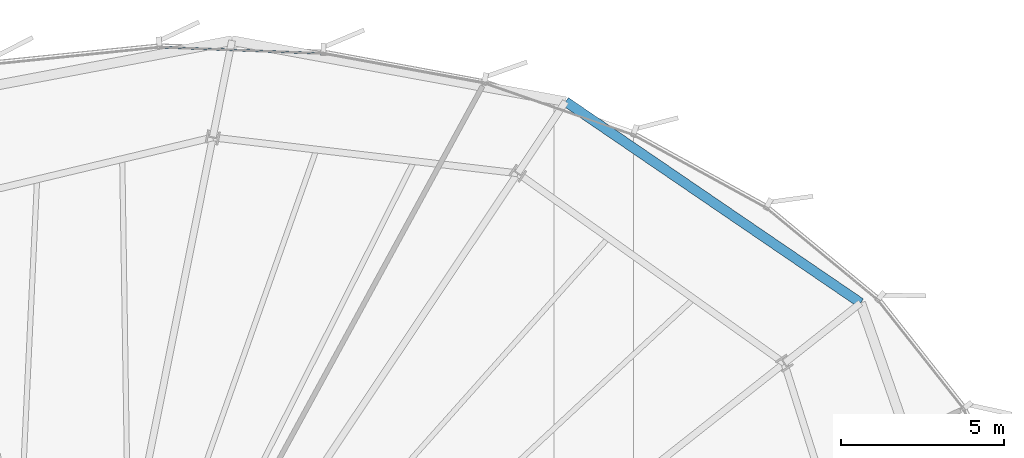
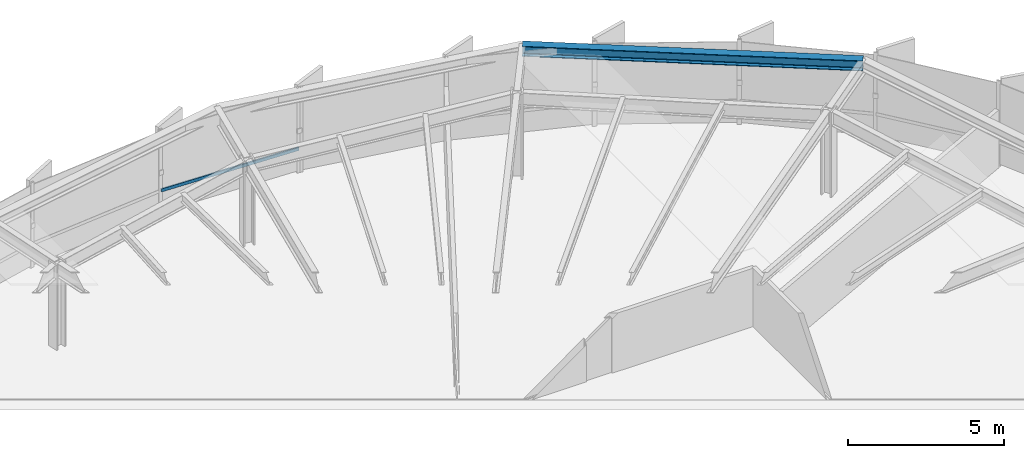
# One storey, part 26 of 35: 1 beam, 1 member, 1 element without a shape of its own.
"""IFC4 building model written with IfcOpenShell, lengths in metres."""

from ifc_helpers import new_model, si_unit, direction, frame, origin, origin_2d, place, context, subcontext, project, spatial, hollow_rectangle, i_section, extrude, source, transform, mapped, material, layer, layer_set, material_profile, profile_set, type_object, element, aggregate, save


model = new_model("IFC4")

# Units and contexts
model_context = context("Model", 3, precision=1e-05, world=origin(), true_north=direction((0.0, 1.0)))
body_context = subcontext(model_context, "Body", "Model", "MODEL_VIEW")
ifc_project = project(units=[si_unit("LENGTHUNIT", "METRE"), si_unit("AREAUNIT", "SQUARE_METRE"), si_unit("VOLUMEUNIT", "CUBIC_METRE"), si_unit("PLANEANGLEUNIT", "RADIAN"), si_unit("MASSUNIT", "GRAM", prefix="KILO"), si_unit("THERMODYNAMICTEMPERATUREUNIT", "KELVIN")], contexts=[model_context])

# Site, building, storey
site_placement = place(None, origin())
site = spatial("IfcSite", under=ifc_project, at=site_placement, CompositionType="ELEMENT")
building_placement = place(site_placement, origin())
building = spatial("IfcBuilding", under=site, at=building_placement, Name="Kethvar Cultural Tower", CompositionType="ELEMENT")
storey_placement = place(building_placement, frame((0.0, 0.0, 107.199951171875)))
storey = spatial("IfcBuildingStorey", under=building, at=storey_placement, Name="L26", CompositionType="ELEMENT", Elevation=107.199951171875)

# Beam
ifc_material_1 = material(Name="Steel S355J2", Category="steel")
ifc_material_profile_1 = material_profile(ifc_material_1, i_section(OverallWidth=0.300048828125, OverallDepth=0.39990234375, WebThickness=0.013427734375, FlangeThickness=0.02392578125, FilletRadius=0.027099609375, at=origin_2d()), Name="Steel S355J2 — HEB400")
ifc_profile_set_1 = profile_set([ifc_material_profile_1], Name="Steel S355J2 — HEB400")
beam_type = type_object("IfcBeamType", Name="BM-SP400", PredefinedType="SPANDREL", material=ifc_profile_set_1)
shared_shape_1 = source(origin(), body_context, "Body", "SweptSolid", [
    extrude(i_section(OverallWidth=0.300048828125, OverallDepth=0.39990234375, WebThickness=0.013427734375, FlangeThickness=0.02392578125, FilletRadius=0.027099609375, at=origin_2d()), origin(), (0.0, 0.0, 1.0), 10.9365234375),
])
beam_placement = place(storey_placement, frame((70.90478515625, 44.19091796875, 3.14794921875), z_axis=(-0.826033183985, 0.563621485535, 0.0), x_axis=(-0.563621485535, -0.826033183985, 0.0)))
element("IfcBeam", 1, at=beam_placement, inside=storey, type_object=beam_type, Name="L26 Perimeter Spandrel Beam SP-02", PredefinedType="SPANDREL", context=body_context, shape_type="MappedRepresentation", body=[
    mapped(shared_shape_1, transform((0.0, 0.0, 0.0), scale=1.0)),
])

# Curtain wall, member
ifc_material_2 = material(Name="Aluminium 6063-T6", Category="aluminium")
ifc_layer = layer(ifc_material_2, 0.179931640625, Name="Aluminium 6063-T6", Category="aluminium")
ifc_layer_set = layer_set([ifc_layer], Name="Aluminium 6063-T6 (180 mm)")
curtain_wall_type = type_object("IfcCurtainWallType", Name="CW-SYS-03-Z2", PredefinedType="NOTDEFINED", material=ifc_layer_set)
curtain_wall_placement = place(storey_placement, origin())
curtain_wall = element("IfcCurtainWall", 2, at=curtain_wall_placement, inside=storey, type_object=curtain_wall_type, Name="L26 Curtain Wall Run 02", PredefinedType="NOTDEFINED")
ifc_material_profile_2 = material_profile(ifc_material_2, hollow_rectangle(XDim=0.054931640625, YDim=0.1201171875, WallThickness=0.00390625, at=origin_2d()), Name="Aluminium 6063-T6 — RHS120x55x4")
ifc_profile_set_2 = profile_set([ifc_material_profile_2], Name="Aluminium 6063-T6 — RHS120x55x4")
member_type = type_object("IfcMemberType", Name="CW-SYS-03-Z2-TRN", PredefinedType="USERDEFINED", material=ifc_profile_set_2)
shared_shape_2 = source(origin(), body_context, "Body", "SweptSolid", [
    extrude(hollow_rectangle(XDim=0.054931640625, YDim=0.1201171875, WallThickness=0.00390625, at=origin_2d()), origin(), (0.0, 0.0, 1.0), 4.979248046875),
])
member_placement = place(storey_placement, frame((54.447509765625, 51.8291015625, 0.949951171875), z_axis=(-0.999249541409, 0.038734403224, 0.0), x_axis=(-0.038734403224, -0.999249541409, 0.0)))
member = element("IfcMember", 3, at=member_placement, type_object=member_type, Name="CW-L26-R02 Transom 1", ObjectType="TRANSOM", PredefinedType="USERDEFINED", context=body_context, shape_type="MappedRepresentation", body=[
    mapped(shared_shape_2, transform((0.0, 0.0, 0.0), scale=1.0)),
])
aggregate(curtain_wall, [member])

save(model, "model.ifc")
